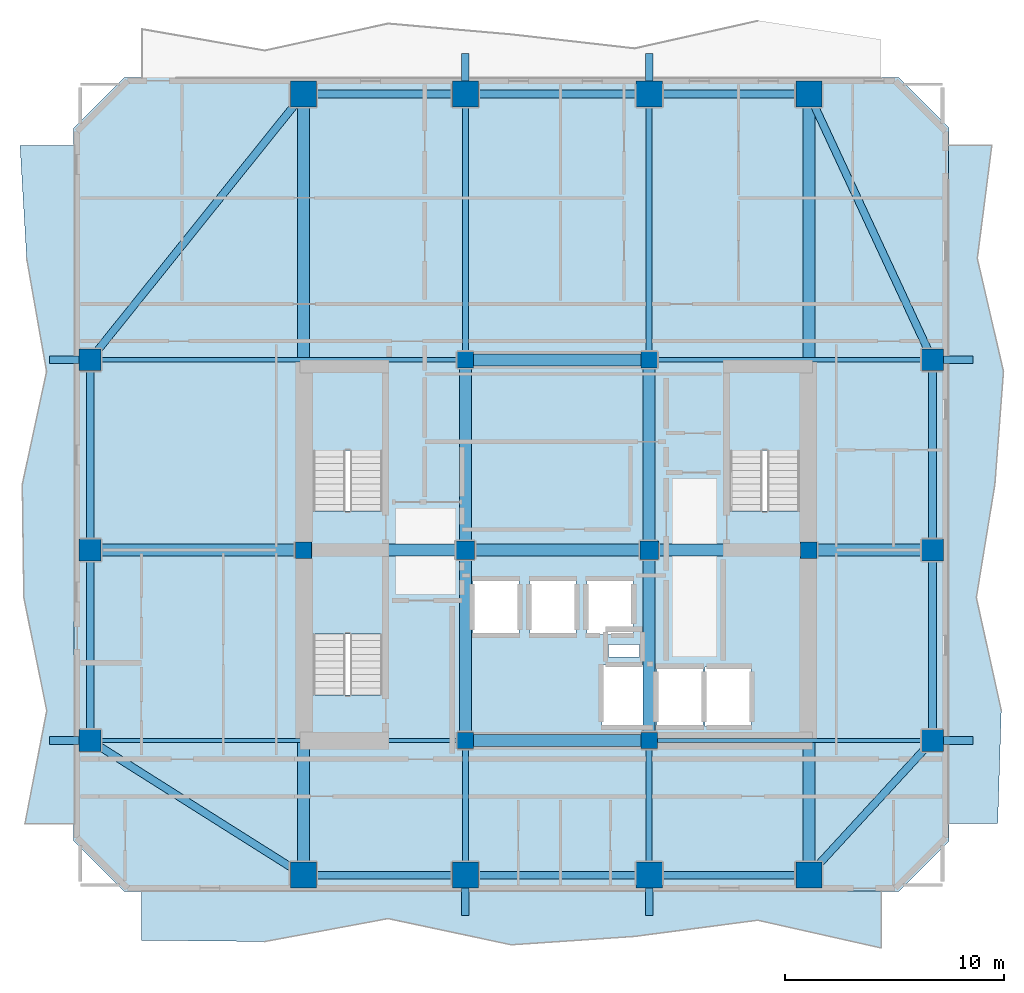
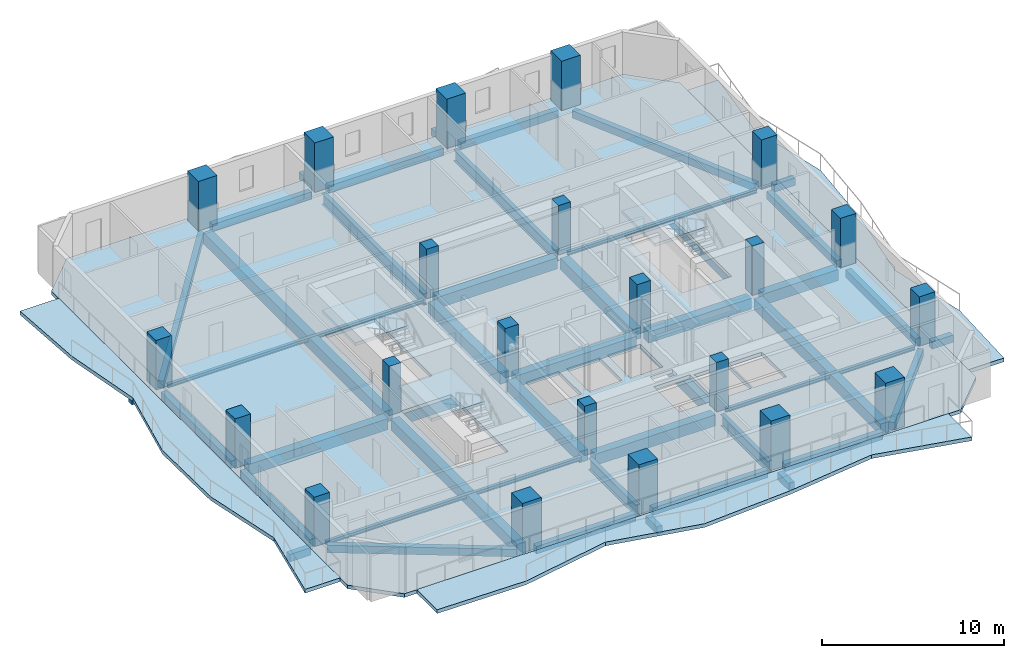
# One storey, part 1 of 11: 45 beams, 22 columns, 7 slabs, 3 elements without a shape of their own.
"""IFC4 building model written with IfcOpenShell, lengths in metres."""

from ifc_helpers import new_model, si_unit, direction, frame, origin, origin_2d, place, context, subcontext, project, spatial, polyline, rectangle, i_section, outline, extrude, material, layer, layer_set, material_profile, profile_set, type_object, element, aggregate, save


model = new_model("IFC4")

# Units and contexts
model_context = context("Model", 3, precision=1e-05, world=origin(), true_north=direction((0.0, 1.0)))
body_context = subcontext(model_context, "Body", "Model", "MODEL_VIEW")
ifc_project = project(units=[si_unit("LENGTHUNIT", "METRE"), si_unit("AREAUNIT", "SQUARE_METRE"), si_unit("VOLUMEUNIT", "CUBIC_METRE"), si_unit("PLANEANGLEUNIT", "RADIAN"), si_unit("MASSUNIT", "GRAM", prefix="KILO")], contexts=[model_context])

# Site, building, storey
site_placement = place(None, origin())
site = spatial("IfcSite", under=ifc_project, at=site_placement, CompositionType="ELEMENT")
building_placement = place(site_placement, origin())
building = spatial("IfcBuilding", under=site, at=building_placement, Name="Solanera Arch Residences", CompositionType="ELEMENT")
storey_placement = place(building_placement, frame((0.0, 0.0, 180.199951171875)))
storey = spatial("IfcBuildingStorey", under=building, at=storey_placement, Name="L52", CompositionType="ELEMENT", Elevation=180.199951171875)

# Columns
ifc_material_1 = material(Name="Concrete C55/67 (f'c = 60 MPa)", Category="concrete")
ifc_material_profile_1 = material_profile(ifc_material_1, rectangle(XDim=1.0, YDim=1.0, at=origin_2d()))
ifc_profile_set_1 = profile_set([ifc_material_profile_1], Name="Concrete C55/67 (f'c = 60 MPa)")
column_type_1 = type_object("IfcColumnType", Name="Structural Column RC-COL-1000X1000", PredefinedType="COLUMN", material=ifc_profile_set_1)
for number, where, z_axis, x_axis, name in (
    (1, (3.64990234375, 22.0, 0.0), (0.0, 0.0, 1.0), (1.0, 0.0, 0.0), "COL-L52-TWR-09"),
    (2, (42.14990234375, 22.0, 0.0), (0.0, 0.0, 1.0), (1.0, 0.0, 0.0), "COL-L52-TWR-10"),
    (3, (3.64990234375, 30.699951171875, 0.0), (0.0, 0.0, 1.0), (1.0, 0.0, 0.0), "COL-L52-TWR-11"),
    (4, (42.14990234375, 30.699951171875, 0.0), (0.0, 0.0, 1.0), (1.0, 0.0, 0.0), "COL-L52-TWR-12"),
    (5, (3.64990234375, 39.39990234375, 0.0), (0.0, 0.0, 1.0), (1.0, 0.0, 0.0), "COL-L52-TWR-13"),
    (6, (42.14990234375, 39.39990234375, 0.0), (0.0, 0.0, 1.0), (1.0, 0.0, 0.0), "COL-L52-TWR-14"),
):
    element("IfcColumn", number, at=place(storey_placement, frame(where, z_axis=z_axis, x_axis=x_axis)), inside=storey, type_object=column_type_1, Name=name, PredefinedType="COLUMN", context=body_context, shape_type="SweptSolid", body=[
        extrude(rectangle(XDim=1.0, YDim=1.0, at=origin_2d()), origin(), (0.0, 0.0, 1.0), 3.320068359375),
    ])
ifc_material_2 = material(Name="Concrete C55/67 (f'c = 60 MPa)", Category="concrete")
ifc_material_profile_2 = material_profile(ifc_material_2, rectangle(XDim=1.199951171875, YDim=1.199951171875, at=origin_2d()))
ifc_profile_set_2 = profile_set([ifc_material_profile_2], Name="Concrete C55/67 (f'c = 60 MPa)")
column_type_2 = type_object("IfcColumnType", Name="Structural Column RC-COL-1200X1200", PredefinedType="COLUMN", material=ifc_profile_set_2)
for number, where, z_axis, x_axis, name in (
    (7, (13.39990234375, 15.85009765625, 0.0), (0.0, 0.0, 1.0), (1.0, 0.0, 0.0), "COL-L52-TWR-01"),
    (8, (13.39990234375, 51.550048828125, 0.0), (0.0, 0.0, 1.0), (1.0, 0.0, 0.0), "COL-L52-TWR-02"),
    (9, (20.800048828125, 15.85009765625, 0.0), (0.0, 0.0, 1.0), (1.0, 0.0, 0.0), "COL-L52-TWR-03"),
    (10, (20.800048828125, 51.550048828125, 0.0), (0.0, 0.0, 1.0), (1.0, 0.0, 0.0), "COL-L52-TWR-04"),
    (11, (29.199951171875, 15.85009765625, 0.0), (0.0, 0.0, 1.0), (1.0, 0.0, 0.0), "COL-L52-TWR-05"),
    (12, (29.199951171875, 51.550048828125, 0.0), (0.0, 0.0, 1.0), (1.0, 0.0, 0.0), "COL-L52-TWR-06"),
    (13, (36.5, 15.85009765625, 0.0), (0.0, 0.0, 1.0), (1.0, 0.0, 0.0), "COL-L52-TWR-07"),
    (14, (36.5, 51.550048828125, 0.0), (0.0, 0.0, 1.0), (1.0, 0.0, 0.0), "COL-L52-TWR-08"),
):
    element("IfcColumn", number, at=place(storey_placement, frame(where, z_axis=z_axis, x_axis=x_axis)), inside=storey, type_object=column_type_2, Name=name, PredefinedType="COLUMN", context=body_context, shape_type="SweptSolid", body=[
        extrude(rectangle(XDim=1.199951171875, YDim=1.199951171875, at=origin_2d()), origin(), (0.0, 0.0, 1.0), 3.320068359375),
    ])
ifc_material_3 = material(Name="Concrete C40/50 (f'c = 45 MPa)", Category="concrete")
ifc_material_profile_3 = material_profile(ifc_material_3, rectangle(XDim=0.75, YDim=0.75, at=origin_2d()))
ifc_profile_set_3 = profile_set([ifc_material_profile_3], Name="Concrete C40/50 (f'c = 45 MPa)")
column_type_3 = type_object("IfcColumnType", Name="Structural Column RC-COL-750X750", PredefinedType="COLUMN", material=ifc_profile_set_3)
for number, where, z_axis, x_axis, name in (
    (15, (20.800048828125, 22.0, 0.0), (0.0, 0.0, 1.0), (1.0, 0.0, 0.0), "COL-L52-CB-SW"),
    (16, (29.199951171875, 22.0, 0.0), (0.0, 0.0, 1.0), (1.0, 0.0, 0.0), "COL-L52-CB-SE"),
    (17, (20.800048828125, 39.39990234375, 0.0), (0.0, 0.0, 1.0), (1.0, 0.0, 0.0), "COL-L52-CB-NW"),
    (18, (29.199951171875, 39.39990234375, 0.0), (0.0, 0.0, 1.0), (1.0, 0.0, 0.0), "COL-L52-CB-NE"),
    (19, (13.39990234375, 30.699951171875, 0.0), (0.0, 0.0, 1.0), (1.0, 0.0, 0.0), "COL-L52-CB-WW"),
    (20, (36.5, 30.699951171875, 0.0), (0.0, 0.0, 1.0), (1.0, 0.0, 0.0), "COL-L52-CB-EE"),
):
    element("IfcColumn", number, at=place(storey_placement, frame(where, z_axis=z_axis, x_axis=x_axis)), inside=storey, type_object=column_type_3, Name=name, PredefinedType="COLUMN", context=body_context, shape_type="SweptSolid", body=[
        extrude(rectangle(XDim=0.75, YDim=0.75, at=origin_2d()), origin(), (0.0, 0.0, 1.0), 3.320068359375),
    ])
ifc_material_4 = material(Name="Concrete C40/50 (f'c = 45 MPa)", Category="concrete")
ifc_material_profile_4 = material_profile(ifc_material_4, rectangle(XDim=0.85009765625, YDim=0.85009765625, at=origin_2d()))
ifc_profile_set_4 = profile_set([ifc_material_profile_4], Name="Concrete C40/50 (f'c = 45 MPa)")
column_type_4 = type_object("IfcColumnType", Name="Structural Column RC-COL-850X850", PredefinedType="COLUMN", material=ifc_profile_set_4)
for number, where, z_axis, x_axis, name in (
    (21, (20.800048828125, 30.699951171875, 0.0), (0.0, 0.0, 1.0), (1.0, 0.0, 0.0), "COL-L52-CORE-W"),
    (22, (29.199951171875, 30.699951171875, 0.0), (0.0, 0.0, 1.0), (1.0, 0.0, 0.0), "COL-L52-CORE-E"),
):
    element("IfcColumn", number, at=place(storey_placement, frame(where, z_axis=z_axis, x_axis=x_axis)), inside=storey, type_object=column_type_4, Name=name, PredefinedType="COLUMN", context=body_context, shape_type="SweptSolid", body=[
        extrude(rectangle(XDim=0.85009765625, YDim=0.85009765625, at=origin_2d()), origin(), (0.0, 0.0, 1.0), 3.320068359375),
    ])

# Beams
ifc_material_5 = material(Name="Concrete C40/50 (f'c = 45 MPa)", Category="concrete")
ifc_material_profile_5 = material_profile(ifc_material_5, rectangle(XDim=0.35009765625, YDim=0.5, at=origin_2d()))
ifc_profile_set_5 = profile_set([ifc_material_profile_5], Name="Concrete C40/50 (f'c = 45 MPa)")
beam_type_1 = type_object("IfcBeamType", Name="BM-BALC-RIB", PredefinedType="BEAM", material=ifc_profile_set_5)
for number, where, z_axis, x_axis, name in (
    (23, (20.800048828125, 14.0, -0.5), (0.0, 1.0, 0.0), (-1.0, 0.0, 0.0), "BM-L52-BRIB-S1"),
    (24, (29.199951171875, 14.0, -0.5), (0.0, 1.0, 0.0), (-1.0, 0.0, 0.0), "BM-L52-BRIB-S2"),
    (25, (20.800048828125, 52.14990234375, -0.5), (0.0, 1.0, 0.0), (-1.0, 0.0, 0.0), "BM-L52-BRIB-N1"),
    (26, (29.199951171875, 52.14990234375, -0.5), (0.0, 1.0, 0.0), (-1.0, 0.0, 0.0), "BM-L52-BRIB-N2"),
):
    element("IfcBeam", number, at=place(storey_placement, frame(where, z_axis=z_axis, x_axis=x_axis)), inside=storey, type_object=beam_type_1, Name=name, PredefinedType="BEAM", context=body_context, shape_type="SweptSolid", body=[
        extrude(rectangle(XDim=0.35009765625, YDim=0.5, at=origin_2d()), origin(), (0.0, 0.0, 1.0), 1.25),
    ])
for number, where, z_axis, x_axis, name in (
    (27, (42.64990234375, 22.0, -0.5), (1.0, 0.0, 0.0), (0.0, 1.0, 0.0), "BM-L52-BRIB-E1"),
    (28, (42.64990234375, 39.39990234375, -0.5), (1.0, 0.0, 0.0), (0.0, 1.0, 0.0), "BM-L52-BRIB-E2"),
):
    element("IfcBeam", number, at=place(storey_placement, frame(where, z_axis=z_axis, x_axis=x_axis)), inside=storey, type_object=beam_type_1, Name=name, PredefinedType="BEAM", context=body_context, shape_type="SweptSolid", body=[
        extrude(rectangle(XDim=0.35009765625, YDim=0.5, at=origin_2d()), origin(), (0.0, 0.0, 1.0), 1.35009765625),
    ])
for number, where, z_axis, x_axis, name in (
    (29, (1.800048828125, 22.0, -0.5), (1.0, 0.0, 0.0), (0.0, 1.0, 0.0), "BM-L52-BRIB-W1"),
    (30, (1.800048828125, 39.39990234375, -0.5), (1.0, 0.0, 0.0), (0.0, 1.0, 0.0), "BM-L52-BRIB-W2"),
):
    element("IfcBeam", number, at=place(storey_placement, frame(where, z_axis=z_axis, x_axis=x_axis)), inside=storey, type_object=beam_type_1, Name=name, PredefinedType="BEAM", context=body_context, shape_type="SweptSolid", body=[
        extrude(rectangle(XDim=0.35009765625, YDim=0.5, at=origin_2d()), origin(), (0.0, 0.0, 1.0), 1.349853515625),
    ])
ifc_material_6 = material(Name="Concrete C40/50 (f'c = 45 MPa)", Category="concrete")
ifc_material_profile_6 = material_profile(ifc_material_6, rectangle(XDim=0.550048828125, YDim=0.75, at=origin_2d()))
ifc_profile_set_6 = profile_set([ifc_material_profile_6], Name="Concrete C40/50 (f'c = 45 MPa)")
beam_type_2 = type_object("IfcBeamType", Name="Primary Beam RC-BM-550X750", PredefinedType="BEAM", material=ifc_profile_set_6)
beam_1_placement = place(storey_placement, frame((20.800048828125, 22.37890625, -0.614990234375), z_axis=(0.0, 1.0, 0.0), x_axis=(-1.0, 0.0, 0.0)))
element("IfcBeam", 31, at=beam_1_placement, inside=storey, type_object=beam_type_2, Name="BM-L52-CC-S-208", PredefinedType="BEAM", context=body_context, shape_type="SweptSolid", body=[
    extrude(rectangle(XDim=0.550048828125, YDim=0.75, at=origin_2d()), origin(), (0.0, 0.0, 1.0), 7.942138671875),
])
beam_2_placement = place(storey_placement, frame((20.800048828125, 31.0791015625, -0.614990234375), z_axis=(0.0, 1.0, 0.0), x_axis=(-1.0, 0.0, 0.0)))
element("IfcBeam", 32, at=beam_2_placement, inside=storey, type_object=beam_type_2, Name="BM-L52-CC-N-208", PredefinedType="BEAM", context=body_context, shape_type="SweptSolid", body=[
    extrude(rectangle(XDim=0.550048828125, YDim=0.75, at=origin_2d()), origin(), (0.0, 0.0, 1.0), 7.94189453125),
])
beam_3_placement = place(storey_placement, frame((29.199951171875, 22.37890625, -0.614990234375), z_axis=(0.0, 1.0, 0.0), x_axis=(-1.0, 0.0, 0.0)))
element("IfcBeam", 33, at=beam_3_placement, inside=storey, type_object=beam_type_2, Name="BM-L52-CC-S-292", PredefinedType="BEAM", context=body_context, shape_type="SweptSolid", body=[
    extrude(rectangle(XDim=0.550048828125, YDim=0.75, at=origin_2d()), origin(), (0.0, 0.0, 1.0), 7.942138671875),
])
beam_4_placement = place(storey_placement, frame((29.199951171875, 31.0791015625, -0.614990234375), z_axis=(0.0, 1.0, 0.0), x_axis=(-1.0, 0.0, 0.0)))
element("IfcBeam", 34, at=beam_4_placement, inside=storey, type_object=beam_type_2, Name="BM-L52-CC-N-292", PredefinedType="BEAM", context=body_context, shape_type="SweptSolid", body=[
    extrude(rectangle(XDim=0.550048828125, YDim=0.75, at=origin_2d()), origin(), (0.0, 0.0, 1.0), 7.94189453125),
])
for number, where, z_axis, x_axis, name in (
    (35, (21.178955078125, 22.0, -0.614990234375), (1.0, 0.0, 0.0), (0.0, 1.0, 0.0), "BM-L52-CC-M-220"),
    (36, (21.178955078125, 30.699951171875, -0.614990234375), (1.0, 0.0, 0.0), (0.0, 1.0, 0.0), "BM-L52-CC-M-307"),
    (37, (21.178955078125, 39.39990234375, -0.614990234375), (1.0, 0.0, 0.0), (0.0, 1.0, 0.0), "BM-L52-CC-M-394"),
):
    element("IfcBeam", number, at=place(storey_placement, frame(where, z_axis=z_axis, x_axis=x_axis)), inside=storey, type_object=beam_type_2, Name=name, PredefinedType="BEAM", context=body_context, shape_type="SweptSolid", body=[
        extrude(rectangle(XDim=0.550048828125, YDim=0.75, at=origin_2d()), origin(), (0.0, 0.0, 1.0), 7.64208984375),
    ])
beam_5_placement = place(storey_placement, frame((13.779052734375, 30.699951171875, -0.614990234375), z_axis=(1.0, 0.0, 0.0), x_axis=(0.0, 1.0, 0.0)))
element("IfcBeam", 38, at=beam_5_placement, inside=storey, type_object=beam_type_2, Name="BM-L52-CC-W", PredefinedType="BEAM", context=body_context, shape_type="SweptSolid", body=[
    extrude(rectangle(XDim=0.550048828125, YDim=0.75, at=origin_2d()), origin(), (0.0, 0.0, 1.0), 6.641845703125),
])
beam_6_placement = place(storey_placement, frame((29.5791015625, 30.699951171875, -0.614990234375), z_axis=(1.0, 0.0, 0.0), x_axis=(0.0, 1.0, 0.0)))
element("IfcBeam", 39, at=beam_6_placement, inside=storey, type_object=beam_type_2, Name="BM-L52-CC-E", PredefinedType="BEAM", context=body_context, shape_type="SweptSolid", body=[
    extrude(rectangle(XDim=0.550048828125, YDim=0.75, at=origin_2d()), origin(), (0.0, 0.0, 1.0), 6.5419921875),
])
beam_7_placement = place(storey_placement, frame((13.39990234375, 16.389892578125, -0.614990234375), z_axis=(0.0, 1.0, 0.0), x_axis=(-1.0, 0.0, 0.0)))
element("IfcBeam", 40, at=beam_7_placement, inside=storey, type_object=beam_type_2, Name="BM-L52-RAD-OS-134", PredefinedType="BEAM", context=body_context, shape_type="SweptSolid", body=[
    extrude(rectangle(XDim=0.550048828125, YDim=0.75, at=origin_2d()), origin(), (0.0, 0.0, 1.0), 13.93115234375),
])
beam_8_placement = place(storey_placement, frame((13.39990234375, 31.0791015625, -0.614990234375), z_axis=(0.0, 1.0, 0.0), x_axis=(-1.0, 0.0, 0.0)))
element("IfcBeam", 41, at=beam_8_placement, inside=storey, type_object=beam_type_2, Name="BM-L52-RAD-ON-134", PredefinedType="BEAM", context=body_context, shape_type="SweptSolid", body=[
    extrude(rectangle(XDim=0.550048828125, YDim=0.75, at=origin_2d()), origin(), (0.0, 0.0, 1.0), 19.930908203125),
])
beam_9_placement = place(storey_placement, frame((36.5, 16.389892578125, -0.614990234375), z_axis=(0.0, 1.0, 0.0), x_axis=(-1.0, 0.0, 0.0)))
element("IfcBeam", 42, at=beam_9_placement, inside=storey, type_object=beam_type_2, Name="BM-L52-RAD-OS-365", PredefinedType="BEAM", context=body_context, shape_type="SweptSolid", body=[
    extrude(rectangle(XDim=0.550048828125, YDim=0.75, at=origin_2d()), origin(), (0.0, 0.0, 1.0), 13.93115234375),
])
beam_10_placement = place(storey_placement, frame((36.5, 31.0791015625, -0.614990234375), z_axis=(0.0, 1.0, 0.0), x_axis=(-1.0, 0.0, 0.0)))
element("IfcBeam", 43, at=beam_10_placement, inside=storey, type_object=beam_type_2, Name="BM-L52-RAD-ON-365", PredefinedType="BEAM", context=body_context, shape_type="SweptSolid", body=[
    extrude(rectangle(XDim=0.550048828125, YDim=0.75, at=origin_2d()), origin(), (0.0, 0.0, 1.0), 19.930908203125),
])
beam_11_placement = place(storey_placement, frame((4.154052734375, 30.699951171875, -0.614990234375), z_axis=(1.0, 0.0, 0.0), x_axis=(0.0, 1.0, 0.0)))
element("IfcBeam", 44, at=beam_11_placement, inside=storey, type_object=beam_type_2, Name="BM-L52-RAD-MW", PredefinedType="BEAM", context=body_context, shape_type="SweptSolid", body=[
    extrude(rectangle(XDim=0.550048828125, YDim=0.75, at=origin_2d()), origin(), (0.0, 0.0, 1.0), 8.866943359375),
])
beam_12_placement = place(storey_placement, frame((36.87890625, 30.699951171875, -0.614990234375), z_axis=(1.0, 0.0, 0.0), x_axis=(0.0, 1.0, 0.0)))
element("IfcBeam", 45, at=beam_12_placement, inside=storey, type_object=beam_type_2, Name="BM-L52-RAD-ME", PredefinedType="BEAM", context=body_context, shape_type="SweptSolid", body=[
    extrude(rectangle(XDim=0.550048828125, YDim=0.75, at=origin_2d()), origin(), (0.0, 0.0, 1.0), 4.76708984375),
])
ifc_material_7 = material(Name="Steel S355 (ASTM A992 / A572 Grade 50)", Category="steel")
ifc_material_profile_7 = material_profile(ifc_material_7, i_section(OverallWidth=0.26806640625, OverallDepth=0.77001953125, WebThickness=0.015625, FlangeThickness=0.025390625, at=origin_2d()))
ifc_profile_set_7 = profile_set([ifc_material_profile_7], Name="Steel S355 (ASTM A992 / A572 Grade 50)")
beam_type_3 = type_object("IfcBeamType", Name="Primary Beam W760X196", PredefinedType="BEAM", material=ifc_profile_set_7)
beam_13_placement = place(storey_placement, frame((20.800048828125, 16.389892578125, -0.625), z_axis=(0.0, 1.0, 0.0), x_axis=(-1.0, 0.0, 0.0)))
element("IfcBeam", 46, at=beam_13_placement, inside=storey, type_object=beam_type_3, Name="BM-L52-RAD-S-208", PredefinedType="BEAM", context=body_context, shape_type="SweptSolid", body=[
    extrude(i_section(OverallWidth=0.26806640625, OverallDepth=0.77001953125, WebThickness=0.015625, FlangeThickness=0.025390625, at=origin_2d()), origin(), (0.0, 0.0, 1.0), 5.231201171875),
])
beam_14_placement = place(storey_placement, frame((20.800048828125, 39.779052734375, -0.625), z_axis=(0.0, 1.0, 0.0), x_axis=(-1.0, 0.0, 0.0)))
element("IfcBeam", 47, at=beam_14_placement, inside=storey, type_object=beam_type_3, Name="BM-L52-RAD-N-208", PredefinedType="BEAM", context=body_context, shape_type="SweptSolid", body=[
    extrude(i_section(OverallWidth=0.26806640625, OverallDepth=0.77001953125, WebThickness=0.015625, FlangeThickness=0.025390625, at=origin_2d()), origin(), (0.0, 0.0, 1.0), 11.23095703125),
])
beam_15_placement = place(storey_placement, frame((29.199951171875, 16.389892578125, -0.625), z_axis=(0.0, 1.0, 0.0), x_axis=(-1.0, 0.0, 0.0)))
element("IfcBeam", 48, at=beam_15_placement, inside=storey, type_object=beam_type_3, Name="BM-L52-RAD-S-292", PredefinedType="BEAM", context=body_context, shape_type="SweptSolid", body=[
    extrude(i_section(OverallWidth=0.26806640625, OverallDepth=0.77001953125, WebThickness=0.015625, FlangeThickness=0.025390625, at=origin_2d()), origin(), (0.0, 0.0, 1.0), 5.231201171875),
])
beam_16_placement = place(storey_placement, frame((29.199951171875, 39.779052734375, -0.625), z_axis=(0.0, 1.0, 0.0), x_axis=(-1.0, 0.0, 0.0)))
element("IfcBeam", 49, at=beam_16_placement, inside=storey, type_object=beam_type_3, Name="BM-L52-RAD-N-292", PredefinedType="BEAM", context=body_context, shape_type="SweptSolid", body=[
    extrude(i_section(OverallWidth=0.26806640625, OverallDepth=0.77001953125, WebThickness=0.015625, FlangeThickness=0.025390625, at=origin_2d()), origin(), (0.0, 0.0, 1.0), 11.23095703125),
])
ifc_material_8 = material(Name="Steel S355 (ASTM A992 / A572 Grade 50)", Category="steel")
ifc_material_profile_8 = material_profile(ifc_material_8, i_section(OverallWidth=0.201904296875, OverallDepth=0.2470703125, WebThickness=0.00732421875, FlangeThickness=0.010986328125, at=origin_2d()))
ifc_profile_set_8 = profile_set([ifc_material_profile_8], Name="Steel S355 (ASTM A992 / A572 Grade 50)")
beam_type_4 = type_object("IfcBeamType", Name="Secondary Joist W250X49.1", PredefinedType="JOIST", material=ifc_profile_set_8)
beam_17_placement = place(storey_placement, frame((4.154052734375, 22.0, -0.363037109375), z_axis=(1.0, 0.0, 0.0), x_axis=(0.0, 1.0, 0.0)))
element("IfcBeam", 50, at=beam_17_placement, inside=storey, type_object=beam_type_4, Name="BM-L52-RAD-W-220", PredefinedType="JOIST", context=body_context, shape_type="SweptSolid", body=[
    extrude(i_section(OverallWidth=0.201904296875, OverallDepth=0.2470703125, WebThickness=0.00732421875, FlangeThickness=0.010986328125, at=origin_2d()), origin(), (0.0, 0.0, 1.0), 16.266845703125),
])
beam_18_placement = place(storey_placement, frame((29.5791015625, 22.0, -0.363037109375), z_axis=(1.0, 0.0, 0.0), x_axis=(0.0, 1.0, 0.0)))
element("IfcBeam", 51, at=beam_18_placement, inside=storey, type_object=beam_type_4, Name="BM-L52-RAD-E-220", PredefinedType="JOIST", context=body_context, shape_type="SweptSolid", body=[
    extrude(i_section(OverallWidth=0.201904296875, OverallDepth=0.2470703125, WebThickness=0.00732421875, FlangeThickness=0.010986328125, at=origin_2d()), origin(), (0.0, 0.0, 1.0), 12.06689453125),
])
beam_19_placement = place(storey_placement, frame((4.154052734375, 39.39990234375, -0.363037109375), z_axis=(1.0, 0.0, 0.0), x_axis=(0.0, 1.0, 0.0)))
element("IfcBeam", 52, at=beam_19_placement, inside=storey, type_object=beam_type_4, Name="BM-L52-RAD-W-394", PredefinedType="JOIST", context=body_context, shape_type="SweptSolid", body=[
    extrude(i_section(OverallWidth=0.201904296875, OverallDepth=0.2470703125, WebThickness=0.00732421875, FlangeThickness=0.010986328125, at=origin_2d()), origin(), (0.0, 0.0, 1.0), 16.266845703125),
])
beam_20_placement = place(storey_placement, frame((29.5791015625, 39.39990234375, -0.363037109375), z_axis=(1.0, 0.0, 0.0), x_axis=(0.0, 1.0, 0.0)))
element("IfcBeam", 53, at=beam_20_placement, inside=storey, type_object=beam_type_4, Name="BM-L52-RAD-E-394", PredefinedType="JOIST", context=body_context, shape_type="SweptSolid", body=[
    extrude(i_section(OverallWidth=0.201904296875, OverallDepth=0.2470703125, WebThickness=0.00732421875, FlangeThickness=0.010986328125, at=origin_2d()), origin(), (0.0, 0.0, 1.0), 12.06689453125),
])
ifc_material_9 = material(Name="Concrete C40/50 (f'c = 45 MPa)", Category="concrete")
ifc_material_profile_9 = material_profile(ifc_material_9, rectangle(XDim=0.35009765625, YDim=0.5, at=origin_2d()))
ifc_profile_set_9 = profile_set([ifc_material_profile_9], Name="Concrete C40/50 (f'c = 45 MPa)")
beam_type_5 = type_object("IfcBeamType", Name="Spandrel Beam RC-BM-350X500", PredefinedType="SPANDREL", material=ifc_profile_set_9)
for number, where, z_axis, x_axis, name in (
    (54, (13.93994140625, 15.85009765625, -0.489990234375), (1.0, 0.0, 0.0), (0.0, 1.0, 0.0), "BM-L52-SPN-S-1"),
    (55, (13.93994140625, 51.550048828125, -0.489990234375), (1.0, 0.0, 0.0), (0.0, 1.0, 0.0), "BM-L52-SPN-N-1"),
):
    element("IfcBeam", number, at=place(storey_placement, frame(where, z_axis=z_axis, x_axis=x_axis)), inside=storey, type_object=beam_type_5, Name=name, PredefinedType="SPANDREL", context=body_context, shape_type="SweptSolid", body=[
        extrude(rectangle(XDim=0.35009765625, YDim=0.5, at=origin_2d()), origin(), (0.0, 0.0, 1.0), 6.320068359375),
    ])
for number, where, z_axis, x_axis, name in (
    (56, (21.340087890625, 15.85009765625, -0.489990234375), (1.0, 0.0, 0.0), (0.0, 1.0, 0.0), "BM-L52-SPN-S-2"),
    (57, (21.340087890625, 51.550048828125, -0.489990234375), (1.0, 0.0, 0.0), (0.0, 1.0, 0.0), "BM-L52-SPN-N-2"),
):
    element("IfcBeam", number, at=place(storey_placement, frame(where, z_axis=z_axis, x_axis=x_axis)), inside=storey, type_object=beam_type_5, Name=name, PredefinedType="SPANDREL", context=body_context, shape_type="SweptSolid", body=[
        extrude(rectangle(XDim=0.35009765625, YDim=0.5, at=origin_2d()), origin(), (0.0, 0.0, 1.0), 7.31982421875),
    ])
for number, where, z_axis, x_axis, name in (
    (58, (29.739990234375, 15.85009765625, -0.489990234375), (1.0, 0.0, 0.0), (0.0, 1.0, 0.0), "BM-L52-SPN-S-3"),
    (59, (29.739990234375, 51.550048828125, -0.489990234375), (1.0, 0.0, 0.0), (0.0, 1.0, 0.0), "BM-L52-SPN-N-3"),
):
    element("IfcBeam", number, at=place(storey_placement, frame(where, z_axis=z_axis, x_axis=x_axis)), inside=storey, type_object=beam_type_5, Name=name, PredefinedType="SPANDREL", context=body_context, shape_type="SweptSolid", body=[
        extrude(rectangle(XDim=0.35009765625, YDim=0.5, at=origin_2d()), origin(), (0.0, 0.0, 1.0), 6.219970703125),
    ])
for number, where, z_axis, x_axis, name in (
    (60, (3.64990234375, 22.50390625, -0.489990234375), (0.0, 1.0, 0.0), (-1.0, 0.0, 0.0), "BM-L52-SPN-W-1"),
    (61, (42.14990234375, 22.50390625, -0.489990234375), (0.0, 1.0, 0.0), (-1.0, 0.0, 0.0), "BM-L52-SPN-E-1"),
):
    element("IfcBeam", number, at=place(storey_placement, frame(where, z_axis=z_axis, x_axis=x_axis)), inside=storey, type_object=beam_type_5, Name=name, PredefinedType="SPANDREL", context=body_context, shape_type="SweptSolid", body=[
        extrude(rectangle(XDim=0.35009765625, YDim=0.5, at=origin_2d()), origin(), (0.0, 0.0, 1.0), 7.692138671875),
    ])
for number, where, z_axis, x_axis, name in (
    (62, (3.64990234375, 31.2041015625, -0.489990234375), (0.0, 1.0, 0.0), (-1.0, 0.0, 0.0), "BM-L52-SPN-W-2"),
    (63, (42.14990234375, 31.2041015625, -0.489990234375), (0.0, 1.0, 0.0), (-1.0, 0.0, 0.0), "BM-L52-SPN-E-2"),
):
    element("IfcBeam", number, at=place(storey_placement, frame(where, z_axis=z_axis, x_axis=x_axis)), inside=storey, type_object=beam_type_5, Name=name, PredefinedType="SPANDREL", context=body_context, shape_type="SweptSolid", body=[
        extrude(rectangle(XDim=0.35009765625, YDim=0.5, at=origin_2d()), origin(), (0.0, 0.0, 1.0), 7.69189453125),
    ])
beam_21_placement = place(storey_placement, frame((12.943115234375, 16.137939453125, -0.489990234375), z_axis=(-0.845781416305, 0.53352956416, 0.0), x_axis=(-0.53352956416, -0.845781416305, 0.0)))
element("IfcBeam", 64, at=beam_21_placement, inside=storey, type_object=beam_type_5, Name="BM-L52-SPN-SW", PredefinedType="SPANDREL", context=body_context, shape_type="SweptSolid", body=[
    extrude(rectangle(XDim=0.35009765625, YDim=0.5, at=origin_2d()), origin(), (0.0, 0.0, 1.0), 10.447265625),
])
beam_22_placement = place(storey_placement, frame((13.06201171875, 51.12890625, -0.489990234375), z_axis=(-0.625858715022, -0.77993645179, 0.0), x_axis=(0.77993645179, -0.625858715022, 0.0)))
element("IfcBeam", 65, at=beam_22_placement, inside=storey, type_object=beam_type_5, Name="BM-L52-SPN-NW", PredefinedType="SPANDREL", context=body_context, shape_type="SweptSolid", body=[
    extrude(rectangle(XDim=0.35009765625, YDim=0.5, at=origin_2d()), origin(), (0.0, 0.0, 1.0), 14.49853515625),
])
beam_23_placement = place(storey_placement, frame((36.864990234375, 16.248046875, -0.489990234375), z_axis=(0.67662725737, 0.736325712293, 0.0), x_axis=(-0.736325712293, 0.67662725737, 0.0)))
element("IfcBeam", 66, at=beam_23_placement, inside=storey, type_object=beam_type_5, Name="BM-L52-SPN-SE", PredefinedType="SPANDREL", context=body_context, shape_type="SweptSolid", body=[
    extrude(rectangle(XDim=0.35009765625, YDim=0.5, at=origin_2d()), origin(), (0.0, 0.0, 1.0), 7.271240234375),
])
beam_24_placement = place(storey_placement, frame((36.72802734375, 51.06005859375, -0.489990234375), z_axis=(0.421641700363, -0.906762524874, 0.0), x_axis=(0.906762524874, 0.421641700363, 0.0)))
element("IfcBeam", 67, at=beam_24_placement, inside=storey, type_object=beam_type_5, Name="BM-L52-SPN-NE", PredefinedType="SPANDREL", context=body_context, shape_type="SweptSolid", body=[
    extrude(rectangle(XDim=0.35009765625, YDim=0.5, at=origin_2d()), origin(), (0.0, 0.0, 1.0), 12.31884765625),
])

# Slabs
ifc_material_10 = material(Name="Concrete C40/50 (f'c = 45 MPa)", Category="concrete")
ifc_layer_1 = layer(ifc_material_10, 0.25)
ifc_layer_set_1 = layer_set([ifc_layer_1], Name="Concrete C40/50 (f'c = 45 MPa)")
slab_type_1 = type_object("IfcSlabType", Name="Balcony Slab 250", PredefinedType="FLOOR", material=ifc_layer_set_1)
slab_1_placement = place(storey_placement, frame((0.0, 0.0, -0.25)))
element("IfcSlab", 68, at=slab_1_placement, inside=storey, type_object=slab_type_1, Name="L52 S Rippling Brise-Soleil Balcony Slab", PredefinedType="FLOOR", context=body_context, shape_type="SweptSolid", body=[
    extrude(outline(polyline([(6.0, 12.87109375), (11.633056640625, 12.81298828125), (17.26708984375, 13.864013671875), (22.89990234375, 12.6650390625), (28.532958984375, 13.049072265625), (34.1669921875, 13.7880859375), (39.800048828125, 12.51904296875), (39.800048828125, 15.1201171875), (6.0, 15.1201171875), (6.0, 12.87109375)])), origin(), (0.0, 0.0, 1.0), 0.25),
])
slab_2_placement = place(storey_placement, frame((0.0, 0.0, -0.25)))
element("IfcSlab", 69, at=slab_2_placement, inside=storey, type_object=slab_type_1, Name="L52 E Rippling Brise-Soleil Balcony Slab", PredefinedType="FLOOR", context=body_context, shape_type="SweptSolid", body=[
    extrude(outline(polyline([(45.12890625, 18.199951171875), (45.2939453125, 23.366943359375), (44.14990234375, 28.532958984375), (44.9970703125, 33.699951171875), (45.39208984375, 38.866943359375), (44.195068359375, 44.032958984375), (44.85888671875, 49.199951171875), (42.8798828125, 49.199951171875), (42.8798828125, 18.199951171875), (45.12890625, 18.199951171875)])), origin(), (0.0, 0.0, 1.0), 0.25),
])
slab_3_placement = place(storey_placement, frame((0.0, 0.0, -0.25)))
element("IfcSlab", 70, at=slab_3_placement, inside=storey, type_object=slab_type_1, Name="L52 W Rippling Brise-Soleil Balcony Slab", PredefinedType="FLOOR", context=body_context, shape_type="SweptSolid", body=[
    extrude(outline(polyline([(0.445068359375, 49.199951171875), (0.7490234375, 44.032958984375), (1.660888671875, 38.866943359375), (0.550048828125, 33.699951171875), (0.62109375, 28.532958984375), (1.6689453125, 23.366943359375), (0.6708984375, 18.199951171875), (2.919921875, 18.199951171875), (2.919921875, 49.199951171875), (0.445068359375, 49.199951171875)])), origin(), (0.0, 0.0, 1.0), 0.25),
])

# Stair, slab
ifc_material_11 = material(Name="Concrete C40/50 (f'c = 45 MPa)", Category="concrete")
stair_type = type_object("IfcStairType", Name="Tower Dogleg Exit Stair 1480", PredefinedType="HALF_TURN_STAIR", material=ifc_material_11)
stair_1_placement = place(storey_placement, origin())
stair_1 = element("IfcStair", 71, at=stair_1_placement, inside=storey, type_object=stair_type, Name="L52 Tower Core Exit Stair 1", PredefinedType="HALF_TURN_STAIR")
ifc_material_12 = material(Name="Concrete C40/50 (f'c = 45 MPa)", Category="concrete")
ifc_layer_2 = layer(ifc_material_12, 0.199951171875)
ifc_layer_set_2 = layer_set([ifc_layer_2], Name="Concrete C40/50 (f'c = 45 MPa)")
slab_type_2 = type_object("IfcSlabType", Name="Stair Half-Landing Slab 200", PredefinedType="LANDING", material=ifc_layer_set_2)
slab_4_placement = place(storey_placement, frame((0.0, 0.0, 1.4599609375)))
slab_4 = element("IfcSlab", 72, at=slab_4_placement, type_object=slab_type_2, Name="ST-T1 landing 1", PredefinedType="LANDING", context=body_context, shape_type="SweptSolid", body=[
    extrude(outline(polyline([(17.1201171875, 35.260009765625), (17.1201171875, 38.919921875), (13.719970703125, 38.919921875), (13.719970703125, 35.260009765625), (17.1201171875, 35.260009765625)])), origin(), (0.0, 0.0, 1.0), 0.2001953125),
])
aggregate(stair_1, [slab_4])

stair_2_placement = place(storey_placement, origin())
stair_2 = element("IfcStair", 73, at=stair_2_placement, inside=storey, type_object=stair_type, Name="L52 Tower Core Exit Stair 2", PredefinedType="HALF_TURN_STAIR")
slab_5_placement = place(storey_placement, frame((0.0, 0.0, 1.4599609375)))
slab_5 = element("IfcSlab", 74, at=slab_5_placement, type_object=slab_type_2, Name="ST-T2 landing 1", PredefinedType="LANDING", context=body_context, shape_type="SweptSolid", body=[
    extrude(outline(polyline([(36.179931640625, 35.260009765625), (36.179931640625, 38.919921875), (32.780029296875, 38.919921875), (32.780029296875, 35.260009765625), (36.179931640625, 35.260009765625)])), origin(), (0.0, 0.0, 1.0), 0.2001953125),
])
aggregate(stair_2, [slab_5])

stair_3_placement = place(storey_placement, origin())
stair_3 = element("IfcStair", 75, at=stair_3_placement, inside=storey, type_object=stair_type, Name="L52 Tower Core Exit Stair 3", PredefinedType="HALF_TURN_STAIR")
slab_6_placement = place(storey_placement, frame((0.0, 0.0, 1.4599609375)))
slab_6 = element("IfcSlab", 76, at=slab_6_placement, type_object=slab_type_2, Name="ST-T3 landing 1", PredefinedType="LANDING", context=body_context, shape_type="SweptSolid", body=[
    extrude(outline(polyline([(17.1201171875, 26.860107421875), (17.1201171875, 30.52001953125), (13.719970703125, 30.52001953125), (13.719970703125, 26.860107421875), (17.1201171875, 26.860107421875)])), origin(), (0.0, 0.0, 1.0), 0.2001953125),
])
aggregate(stair_3, [slab_6])

# Slab
ifc_material_13 = material(Name="Concrete C40/50 (f'c = 45 MPa)", Category="concrete")
ifc_layer_3 = layer(ifc_material_13, 0.239990234375)
ifc_layer_set_3 = layer_set([ifc_layer_3], Name="Concrete C40/50 (f'c = 45 MPa)")
slab_type_3 = type_object("IfcSlabType", Name="Suspended Floor Slab Post-Tensioned 240", PredefinedType="FLOOR", material=ifc_layer_set_3)
slab_7_placement = place(storey_placement, frame((0.0, 0.0, -0.239990234375)))
element("IfcSlab", 77, at=slab_7_placement, inside=storey, type_object=slab_type_3, Name="L52 Tower Post-Tensioned Floor Slab", PredefinedType="FLOOR", context=body_context, shape_type="SweptSolid", body=[
    extrude(outline(polyline([(5.199951171875, 15.10009765625), (40.60009765625, 15.10009765625), (42.89990234375, 17.39990234375), (42.89990234375, 50.0), (40.60009765625, 52.300048828125), (5.199951171875, 52.300048828125), (2.89990234375, 50.0), (2.89990234375, 17.39990234375), (5.199951171875, 15.10009765625)]), holes=[polyline([(13.840087890625, 32.48291015625), (13.840087890625, 38.800048828125), (17.0, 38.800048828125), (17.0, 32.48291015625), (13.840087890625, 32.48291015625)]), polyline([(32.89990234375, 32.48291015625), (32.89990234375, 38.800048828125), (36.06005859375, 38.800048828125), (36.06005859375, 32.48291015625), (32.89990234375, 32.48291015625)]), polyline([(13.840087890625, 24.0830078125), (13.840087890625, 30.39990234375), (17.0, 30.39990234375), (17.0, 24.0830078125), (13.840087890625, 24.0830078125)]), polyline([(21.14990234375, 29.35009765625), (23.25, 29.35009765625), (23.25, 26.85009765625), (21.14990234375, 26.85009765625), (21.14990234375, 29.35009765625)]), polyline([(23.75, 29.35009765625), (25.85009765625, 29.35009765625), (25.85009765625, 26.85009765625), (23.75, 26.85009765625), (23.75, 29.35009765625)]), polyline([(26.35009765625, 29.35009765625), (28.449951171875, 29.35009765625), (28.449951171875, 26.85009765625), (26.35009765625, 26.85009765625), (26.35009765625, 29.35009765625)]), polyline([(29.550048828125, 25.35009765625), (31.64990234375, 25.35009765625), (31.64990234375, 22.64990234375), (29.550048828125, 22.64990234375), (29.550048828125, 25.35009765625)]), polyline([(31.75, 25.35009765625), (33.85009765625, 25.35009765625), (33.85009765625, 22.64990234375), (31.75, 22.64990234375), (31.75, 25.35009765625)]), polyline([(27.050048828125, 25.449951171875), (29.35009765625, 25.449951171875), (29.35009765625, 22.64990234375), (27.050048828125, 22.64990234375), (27.050048828125, 25.449951171875)]), polyline([(27.340087890625, 26.3798828125), (28.760009765625, 26.3798828125), (28.760009765625, 25.820068359375), (27.340087890625, 25.820068359375), (27.340087890625, 26.3798828125)])]), origin(), (0.0, 0.0, 1.0), 0.239990234375),
])

save(model, "model.ifc")
